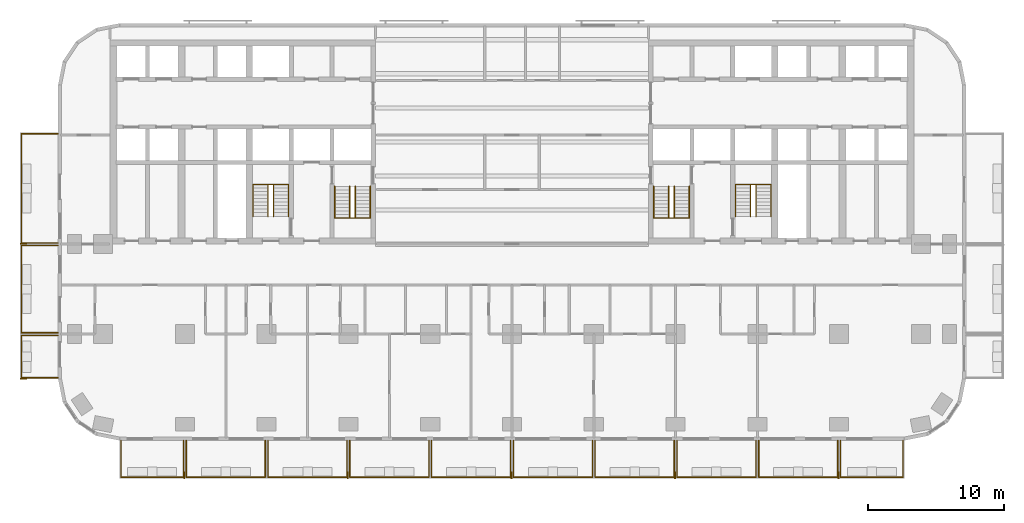
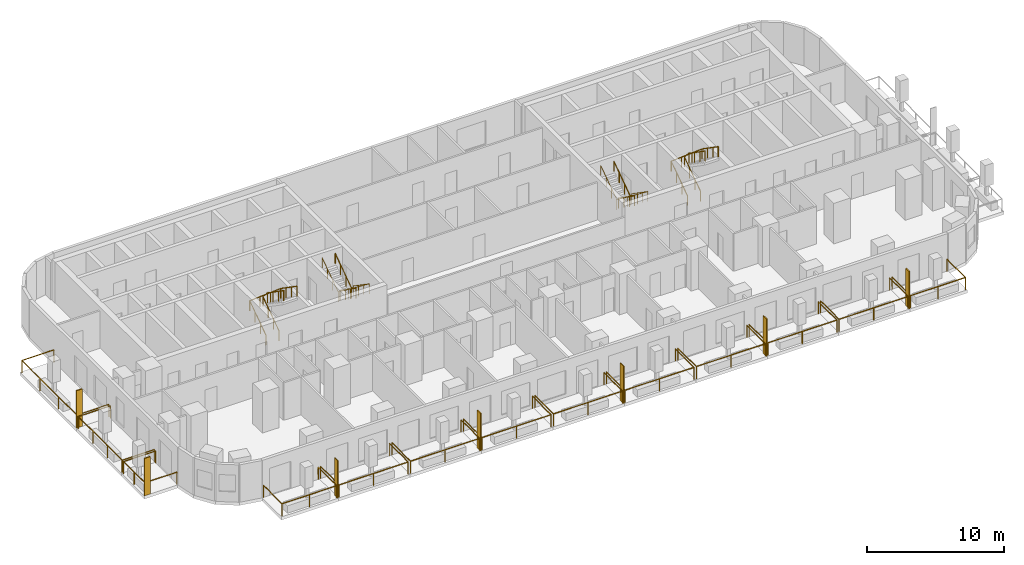
# One storey, part 12 of 14: 21 railings, 7 shading devices.
"""IFC4 building model written with IfcOpenShell, lengths in metres."""

from ifc_helpers import new_model, si_unit, direction, frame, origin, origin_2d, place, context, subcontext, project, spatial, rectangle, circle, extrude, material, layer, layer_set, type_object, element, save


model = new_model("IFC4")

# Units and contexts
model_context = context("Model", 3, precision=1e-05, world=origin(), true_north=direction((0.0, 1.0)))
body_context = subcontext(model_context, "Body", "Model", "MODEL_VIEW")
ifc_project = project(units=[si_unit("LENGTHUNIT", "METRE"), si_unit("AREAUNIT", "SQUARE_METRE"), si_unit("VOLUMEUNIT", "CUBIC_METRE"), si_unit("PLANEANGLEUNIT", "RADIAN"), si_unit("MASSUNIT", "GRAM", prefix="KILO")], contexts=[model_context])

# Site, building, storey
site_placement = place(None, origin())
site = spatial("IfcSite", under=ifc_project, at=site_placement, CompositionType="ELEMENT")
building_placement = place(site_placement, origin())
building = spatial("IfcBuilding", under=site, at=building_placement, Name="Torana Hotel and Residences", CompositionType="ELEMENT")
storey_placement = place(building_placement, frame((0.0, 0.0, 99.60009765625)))
storey = spatial("IfcBuildingStorey", under=building, at=storey_placement, Name="L25", CompositionType="ELEMENT", Elevation=99.60009765625)

# Shading devices
ifc_material_1 = material(Name="Black powder coated aluminium", Category="aluminium")
ifc_layer = layer(ifc_material_1, 0.080078125)
ifc_layer_set = layer_set([ifc_layer], Name="FN1 VERTICAL FIN 500x80")
shading_device_type = type_object("IfcShadingDeviceType", Name="FN1 VERTICAL FIN 500x80", PredefinedType="USERDEFINED", material=ifc_layer_set)
for number, where, z_axis, x_axis, name in (
    (1, (-24.0400390625, -31.949951171875, 0.0), (0.0, 0.0, 1.0), (-1.0, 0.0, 0.0), "Fin 01"),
    (2, (-12.0400390625, -31.949951171875, 0.0), (0.0, 0.0, 1.0), (-1.0, 0.0, 0.0), "Fin 03"),
    (3, (-0.0400390625, -31.949951171875, 0.0), (0.0, 0.0, 1.0), (-1.0, 0.0, 0.0), "Fin 05"),
    (4, (11.9599609375, -31.949951171875, 0.0), (0.0, 0.0, 1.0), (-1.0, 0.0, 0.0), "Fin 07"),
    (5, (23.9599609375, -31.949951171875, 0.0), (0.0, 0.0, 1.0), (-1.0, 0.0, 0.0), "Fin 09"),
    (6, (-35.85009765625, -24.860107421875, 0.0), (0.0, 0.0, 1.0), (0.0, 1.0, 0.0), "Fin 11"),
    (7, (-35.85009765625, -14.9599609375, 0.0), (0.0, 0.0, 1.0), (0.0, 1.0, 0.0), "Fin 13"),
):
    element("IfcShadingDevice", number, at=place(storey_placement, frame(where, z_axis=z_axis, x_axis=x_axis)), inside=storey, type_object=shading_device_type, Name=name, ObjectType="FIN", PredefinedType="USERDEFINED", context=body_context, shape_type="SweptSolid", body=[
        extrude(rectangle(XDim=0.080078125, YDim=0.5, at=origin_2d()), origin(), (0.0, 0.0, 1.0), 3.320068359375),
    ])

# Railings
ifc_material_2 = material(Name="Laminated glass balustrade with black handrail", Category="glass")
railing_type_1 = type_object("IfcRailingType", Name="GR1 BALCONY GUARD 1100 GLASS", PredefinedType="GUARDRAIL", material=ifc_material_2)
railing_1_placement = place(storey_placement, frame((-24.10009765625, -29.39990234375, 0.0)))
element("IfcRailing", 8, at=railing_1_placement, inside=storey, type_object=railing_type_1, Name="Balcony guard 01", PredefinedType="GUARDRAIL", context=body_context, shape_type="SweptSolid", body=[
    extrude(circle(Radius=0.02392578125, at=origin_2d()), frame((0.0, 0.0, 1.076171875), z_axis=(0.0, -1.0, 0.0), x_axis=(1.0, 0.0, 0.0)), (0.0, 0.0, 1.0), 2.7001953125),
    extrude(circle(Radius=0.02392578125, at=origin_2d()), frame((0.0, -2.7001953125, 1.076171875), z_axis=(-1.0, 0.0, 0.0), x_axis=(0.0, -1.0, 0.0)), (0.0, 0.0, 1.0), 4.599853515625),
    extrude(circle(Radius=0.02392578125, at=origin_2d()), frame((-4.599853515625, -2.7001953125, 1.076171875), z_axis=(0.0, 1.0, 0.0), x_axis=(-1.0, 0.0, 0.0)), (0.0, 0.0, 1.0), 2.7001953125),
    extrude(circle(Radius=0.02099609375, at=origin_2d()), origin(), (0.0, 0.0, 1.0), 1.052001953125),
    extrude(circle(Radius=0.02099609375, at=origin_2d()), frame((0.0, -2.7001953125, 0.0)), (0.0, 0.0, 1.0), 1.052001953125),
    extrude(circle(Radius=0.02099609375, at=origin_2d()), frame((-2.2998046875, -2.7001953125, 0.0)), (0.0, 0.0, 1.0), 1.052001953125),
    extrude(circle(Radius=0.02099609375, at=origin_2d()), frame((-4.599853515625, -2.7001953125, 0.0)), (0.0, 0.0, 1.0), 1.052001953125),
    extrude(circle(Radius=0.02099609375, at=origin_2d()), frame((-4.599853515625, 0.0, 0.0)), (0.0, 0.0, 1.0), 1.052001953125),
])
for number, where, name in (
    (9, (-18.10009765625, -29.39990234375, 0.0), "Balcony guard 02"),
    (10, (-12.10009765625, -29.39990234375, 0.0), "Balcony guard 03"),
    (11, (-6.10009765625, -29.39990234375, 0.0), "Balcony guard 04"),
    (12, (-0.10009765625, -29.39990234375, 0.0), "Balcony guard 05"),
    (13, (5.89990234375, -29.39990234375, 0.0), "Balcony guard 06"),
    (14, (11.89990234375, -29.39990234375, 0.0), "Balcony guard 07"),
    (15, (17.89990234375, -29.39990234375, 0.0), "Balcony guard 08"),
    (16, (23.89990234375, -29.39990234375, 0.0), "Balcony guard 09"),
):
    element("IfcRailing", number, at=place(storey_placement, frame(where)), inside=storey, type_object=railing_type_1, Name=name, PredefinedType="GUARDRAIL", context=body_context, shape_type="SweptSolid", body=[
        extrude(circle(Radius=0.02392578125, at=origin_2d()), frame((0.0, 0.0, 1.076171875), z_axis=(0.0, -1.0, 0.0), x_axis=(1.0, 0.0, 0.0)), (0.0, 0.0, 1.0), 2.7001953125),
        extrude(circle(Radius=0.02392578125, at=origin_2d()), frame((0.0, -2.7001953125, 1.076171875), z_axis=(-1.0, 0.0, 0.0), x_axis=(0.0, -1.0, 0.0)), (0.0, 0.0, 1.0), 5.7998046875),
        extrude(circle(Radius=0.02392578125, at=origin_2d()), frame((-5.7998046875, -2.7001953125, 1.076171875), z_axis=(0.0, 1.0, 0.0), x_axis=(-1.0, 0.0, 0.0)), (0.0, 0.0, 1.0), 2.7001953125),
        extrude(circle(Radius=0.02099609375, at=origin_2d()), origin(), (0.0, 0.0, 1.0), 1.052001953125),
        extrude(circle(Radius=0.02099609375, at=origin_2d()), frame((0.0, -2.7001953125, 0.0)), (0.0, 0.0, 1.0), 1.052001953125),
        extrude(circle(Radius=0.02099609375, at=origin_2d()), frame((-2.89990234375, -2.7001953125, 0.0)), (0.0, 0.0, 1.0), 1.052001953125),
        extrude(circle(Radius=0.02099609375, at=origin_2d()), frame((-5.7998046875, -2.7001953125, 0.0)), (0.0, 0.0, 1.0), 1.052001953125),
        extrude(circle(Radius=0.02099609375, at=origin_2d()), frame((-5.7998046875, 0.0, 0.0)), (0.0, 0.0, 1.0), 1.052001953125),
    ])
railing_2_placement = place(storey_placement, frame((28.699951171875, -29.39990234375, 0.0)))
element("IfcRailing", 17, at=railing_2_placement, inside=storey, type_object=railing_type_1, Name="Balcony guard 10", PredefinedType="GUARDRAIL", context=body_context, shape_type="SweptSolid", body=[
    extrude(circle(Radius=0.02392578125, at=origin_2d()), frame((0.0, 0.0, 1.076171875), z_axis=(0.0, -1.0, 0.0), x_axis=(1.0, 0.0, 0.0)), (0.0, 0.0, 1.0), 2.7001953125),
    extrude(circle(Radius=0.02392578125, at=origin_2d()), frame((0.0, -2.7001953125, 1.076171875), z_axis=(-1.0, 0.0, 0.0), x_axis=(0.0, -1.0, 0.0)), (0.0, 0.0, 1.0), 4.599853515625),
    extrude(circle(Radius=0.02392578125, at=origin_2d()), frame((-4.599853515625, -2.7001953125, 1.076171875), z_axis=(0.0, 1.0, 0.0), x_axis=(-1.0, 0.0, 0.0)), (0.0, 0.0, 1.0), 2.7001953125),
    extrude(circle(Radius=0.02099609375, at=origin_2d()), origin(), (0.0, 0.0, 1.0), 1.052001953125),
    extrude(circle(Radius=0.02099609375, at=origin_2d()), frame((0.0, -2.7001953125, 0.0)), (0.0, 0.0, 1.0), 1.052001953125),
    extrude(circle(Radius=0.02099609375, at=origin_2d()), frame((-2.2998046875, -2.7001953125, 0.0)), (0.0, 0.0, 1.0), 1.052001953125),
    extrude(circle(Radius=0.02099609375, at=origin_2d()), frame((-4.599853515625, -2.7001953125, 0.0)), (0.0, 0.0, 1.0), 1.052001953125),
    extrude(circle(Radius=0.02099609375, at=origin_2d()), frame((-4.599853515625, 0.0, 0.0)), (0.0, 0.0, 1.0), 1.052001953125),
])
railing_3_placement = place(storey_placement, frame((-33.300048828125, -24.800048828125, 0.0)))
element("IfcRailing", 18, at=railing_3_placement, inside=storey, type_object=railing_type_1, Name="Balcony guard 11", PredefinedType="GUARDRAIL", context=body_context, shape_type="SweptSolid", body=[
    extrude(circle(Radius=0.02392578125, at=origin_2d()), frame((0.0, 0.0, 1.076171875), z_axis=(-1.0, 0.0, 0.0), x_axis=(0.0, -1.0, 0.0)), (0.0, 0.0, 1.0), 2.699951171875),
    extrude(circle(Radius=0.02392578125, at=origin_2d()), frame((-2.699951171875, 0.0, 1.076171875), z_axis=(0.0, 1.0, 0.0), x_axis=(-1.0, 0.0, 0.0)), (0.0, 0.0, 1.0), 3.10009765625),
    extrude(circle(Radius=0.02392578125, at=origin_2d()), frame((-2.699951171875, 3.10009765625, 1.076171875), z_axis=(1.0, 0.0, 0.0), x_axis=(0.0, 1.0, 0.0)), (0.0, 0.0, 1.0), 2.699951171875),
    extrude(circle(Radius=0.02099609375, at=origin_2d()), origin(), (0.0, 0.0, 1.0), 1.052001953125),
    extrude(circle(Radius=0.02099609375, at=origin_2d()), frame((-2.699951171875, 0.0, 0.0)), (0.0, 0.0, 1.0), 1.052001953125),
    extrude(circle(Radius=0.02099609375, at=origin_2d()), frame((-2.699951171875, 1.550048828125, 0.0)), (0.0, 0.0, 1.0), 1.052001953125),
    extrude(circle(Radius=0.02099609375, at=origin_2d()), frame((-2.699951171875, 3.10009765625, 0.0)), (0.0, 0.0, 1.0), 1.052001953125),
    extrude(circle(Radius=0.02099609375, at=origin_2d()), frame((0.0, 3.10009765625, 0.0)), (0.0, 0.0, 1.0), 1.052001953125),
])
railing_4_placement = place(storey_placement, frame((-33.300048828125, -21.5, 0.0)))
element("IfcRailing", 19, at=railing_4_placement, inside=storey, type_object=railing_type_1, Name="Balcony guard 12", PredefinedType="GUARDRAIL", context=body_context, shape_type="SweptSolid", body=[
    extrude(circle(Radius=0.02392578125, at=origin_2d()), frame((0.0, 0.0, 1.076171875), z_axis=(-1.0, 0.0, 0.0), x_axis=(0.0, -1.0, 0.0)), (0.0, 0.0, 1.0), 2.699951171875),
    extrude(circle(Radius=0.02392578125, at=origin_2d()), frame((-2.699951171875, 0.0, 1.076171875), z_axis=(0.0, 1.0, 0.0), x_axis=(-1.0, 0.0, 0.0)), (0.0, 0.0, 1.0), 6.39990234375),
    extrude(circle(Radius=0.02392578125, at=origin_2d()), frame((-2.699951171875, 6.39990234375, 1.076171875), z_axis=(1.0, 0.0, 0.0), x_axis=(0.0, 1.0, 0.0)), (0.0, 0.0, 1.0), 2.699951171875),
    extrude(circle(Radius=0.02099609375, at=origin_2d()), origin(), (0.0, 0.0, 1.0), 1.052001953125),
    extrude(circle(Radius=0.02099609375, at=origin_2d()), frame((-2.699951171875, 0.0, 0.0)), (0.0, 0.0, 1.0), 1.052001953125),
    extrude(circle(Radius=0.02099609375, at=origin_2d()), frame((-2.699951171875, 2.13330078125, 0.0)), (0.0, 0.0, 1.0), 1.052001953125),
    extrude(circle(Radius=0.02099609375, at=origin_2d()), frame((-2.699951171875, 4.2666015625, 0.0)), (0.0, 0.0, 1.0), 1.052001953125),
    extrude(circle(Radius=0.02099609375, at=origin_2d()), frame((-2.699951171875, 6.39990234375, 0.0)), (0.0, 0.0, 1.0), 1.052001953125),
    extrude(circle(Radius=0.02099609375, at=origin_2d()), frame((0.0, 6.39990234375, 0.0)), (0.0, 0.0, 1.0), 1.052001953125),
])
railing_5_placement = place(storey_placement, frame((-33.300048828125, -14.89990234375, 0.0)))
element("IfcRailing", 20, at=railing_5_placement, inside=storey, type_object=railing_type_1, Name="Balcony guard 13", PredefinedType="GUARDRAIL", context=body_context, shape_type="SweptSolid", body=[
    extrude(circle(Radius=0.02392578125, at=origin_2d()), frame((0.0, 0.0, 1.076171875), z_axis=(-1.0, 0.0, 0.0), x_axis=(0.0, -1.0, 0.0)), (0.0, 0.0, 1.0), 2.699951171875),
    extrude(circle(Radius=0.02392578125, at=origin_2d()), frame((-2.699951171875, 0.0, 1.076171875), z_axis=(0.0, 1.0, 0.0), x_axis=(-1.0, 0.0, 0.0)), (0.0, 0.0, 1.0), 8.0),
    extrude(circle(Radius=0.02392578125, at=origin_2d()), frame((-2.699951171875, 8.0, 1.076171875), z_axis=(1.0, 0.0, 0.0), x_axis=(0.0, 1.0, 0.0)), (0.0, 0.0, 1.0), 2.699951171875),
    extrude(circle(Radius=0.02099609375, at=origin_2d()), origin(), (0.0, 0.0, 1.0), 1.052001953125),
    extrude(circle(Radius=0.02099609375, at=origin_2d()), frame((-2.699951171875, 0.0, 0.0)), (0.0, 0.0, 1.0), 1.052001953125),
    extrude(circle(Radius=0.02099609375, at=origin_2d()), frame((-2.699951171875, 2.666748046875, 0.0)), (0.0, 0.0, 1.0), 1.052001953125),
    extrude(circle(Radius=0.02099609375, at=origin_2d()), frame((-2.699951171875, 5.333251953125, 0.0)), (0.0, 0.0, 1.0), 1.052001953125),
    extrude(circle(Radius=0.02099609375, at=origin_2d()), frame((-2.699951171875, 8.0, 0.0)), (0.0, 0.0, 1.0), 1.052001953125),
    extrude(circle(Radius=0.02099609375, at=origin_2d()), frame((0.0, 8.0, 0.0)), (0.0, 0.0, 1.0), 1.052001953125),
])
ifc_material_3 = material(Name="Stainless steel 316", Category="steel")
railing_type_2 = type_object("IfcRailingType", Name="STAIR HANDRAIL HR1 900", PredefinedType="HANDRAIL", material=ifc_material_3)
railing_6_placement = place(storey_placement, frame((-10.39990234375, -10.75, 0.179931640625)))
element("IfcRailing", 21, at=railing_6_placement, inside=storey, type_object=railing_type_2, Name="Handrail ST1 L25 O1", PredefinedType="HANDRAIL", context=body_context, shape_type="SweptSolid", body=[
    extrude(circle(Radius=0.02392578125, at=origin_2d()), frame((0.0, 0.0, 0.8759765625), z_axis=(0.0, -0.822223072051, 0.569165371211), x_axis=(1.0, 0.0, 0.0)), (0.0, 0.0, 1.0), 2.845947265625),
    extrude(circle(Radius=0.02392578125, at=origin_2d()), frame((0.0, -2.340087890625, 2.49560546875), z_axis=(-0.997607660209, 0.0, 0.069129995609), x_axis=(0.0, -1.0, 0.0)), (0.0, 0.0, 1.0), 2.6064453125),
    extrude(circle(Radius=0.02392578125, at=origin_2d()), frame((-2.60009765625, -2.340087890625, 2.67578125), z_axis=(0.0, 0.822223072051, 0.569165371211), x_axis=(-1.0, 0.0, 0.0)), (0.0, 0.0, 1.0), 2.845947265625),
    extrude(circle(Radius=0.02099609375, at=origin_2d()), origin(), (0.0, 0.0, 1.0), 0.851806640625),
    extrude(circle(Radius=0.02099609375, at=origin_2d()), frame((0.0, -0.780029296875, 0.5400390625)), (0.0, 0.0, 1.0), 0.851806640625),
    extrude(circle(Radius=0.02099609375, at=origin_2d()), frame((0.0, -1.56005859375, 1.079833984375)), (0.0, 0.0, 1.0), 0.851806640625),
    extrude(circle(Radius=0.02099609375, at=origin_2d()), frame((0.0, -2.340087890625, 1.619873046875)), (0.0, 0.0, 1.0), 0.851806640625),
    extrude(circle(Radius=0.02099609375, at=origin_2d()), frame((-0.86669921875, -2.340087890625, 1.679931640625)), (0.0, 0.0, 1.0), 0.851806640625),
    extrude(circle(Radius=0.02099609375, at=origin_2d()), frame((-1.7333984375, -2.340087890625, 1.739990234375)), (0.0, 0.0, 1.0), 0.851806640625),
    extrude(circle(Radius=0.02099609375, at=origin_2d()), frame((-2.60009765625, -2.340087890625, 1.800048828125)), (0.0, 0.0, 1.0), 0.851806640625),
    extrude(circle(Radius=0.02099609375, at=origin_2d()), frame((-2.60009765625, -1.56005859375, 2.340087890625)), (0.0, 0.0, 1.0), 0.851806640625),
    extrude(circle(Radius=0.02099609375, at=origin_2d()), frame((-2.60009765625, -0.780029296875, 2.8798828125)), (0.0, 0.0, 1.0), 0.851806640625),
    extrude(circle(Radius=0.02099609375, at=origin_2d()), frame((-2.60009765625, 0.0, 3.419921875)), (0.0, 0.0, 1.0), 0.851806640625),
])
railing_7_placement = place(storey_placement, frame((-11.5, -10.75, 0.179931640625)))
element("IfcRailing", 22, at=railing_7_placement, inside=storey, type_object=railing_type_2, Name="Handrail ST1 L25 I1", PredefinedType="HANDRAIL", context=body_context, shape_type="SweptSolid", body=[
    extrude(circle(Radius=0.02392578125, at=origin_2d()), frame((0.0, 0.0, 0.8759765625), z_axis=(0.0, -0.822223072051, 0.569165371211), x_axis=(1.0, 0.0, 0.0)), (0.0, 0.0, 1.0), 2.845947265625),
    extrude(circle(Radius=0.02392578125, at=origin_2d()), frame((0.0, -2.340087890625, 2.49560546875), z_axis=(-0.911733943306, 0.0, 0.410781227204), x_axis=(0.0, -1.0, 0.0)), (0.0, 0.0, 1.0), 0.438720703125),
    extrude(circle(Radius=0.02392578125, at=origin_2d()), frame((-0.39990234375, -2.340087890625, 2.67578125), z_axis=(0.0, 0.822223072051, 0.569165371211), x_axis=(-1.0, 0.0, 0.0)), (0.0, 0.0, 1.0), 2.845947265625),
    extrude(circle(Radius=0.02099609375, at=origin_2d()), origin(), (0.0, 0.0, 1.0), 0.851806640625),
    extrude(circle(Radius=0.02099609375, at=origin_2d()), frame((0.0, -0.780029296875, 0.5400390625)), (0.0, 0.0, 1.0), 0.851806640625),
    extrude(circle(Radius=0.02099609375, at=origin_2d()), frame((0.0, -1.56005859375, 1.079833984375)), (0.0, 0.0, 1.0), 0.851806640625),
    extrude(circle(Radius=0.02099609375, at=origin_2d()), frame((0.0, -2.340087890625, 1.619873046875)), (0.0, 0.0, 1.0), 0.851806640625),
    extrude(circle(Radius=0.02099609375, at=origin_2d()), frame((-0.39990234375, -2.340087890625, 1.800048828125)), (0.0, 0.0, 1.0), 0.851806640625),
    extrude(circle(Radius=0.02099609375, at=origin_2d()), frame((-0.39990234375, -1.56005859375, 2.340087890625)), (0.0, 0.0, 1.0), 0.851806640625),
    extrude(circle(Radius=0.02099609375, at=origin_2d()), frame((-0.39990234375, -0.780029296875, 2.8798828125)), (0.0, 0.0, 1.0), 0.851806640625),
    extrude(circle(Radius=0.02099609375, at=origin_2d()), frame((-0.39990234375, 0.0, 3.419921875)), (0.0, 0.0, 1.0), 0.851806640625),
])
railing_8_placement = place(storey_placement, frame((-19.0, -12.949951171875, 0.179931640625)))
element("IfcRailing", 23, at=railing_8_placement, inside=storey, type_object=railing_type_2, Name="Handrail ST2 L25 O1", PredefinedType="HANDRAIL", context=body_context, shape_type="SweptSolid", body=[
    extrude(circle(Radius=0.02392578125, at=origin_2d()), frame((0.0, 0.0, 0.8759765625), z_axis=(0.0, 0.822195280011, 0.569205517829), x_axis=(-1.0, 0.0, 0.0)), (0.0, 0.0, 1.0), 2.845947265625),
    extrude(circle(Radius=0.02392578125, at=origin_2d()), frame((0.0, 2.33984375, 2.49560546875), z_axis=(0.997607660209, 0.0, 0.069129995609), x_axis=(0.0, 1.0, 0.0)), (0.0, 0.0, 1.0), 2.6064453125),
    extrude(circle(Radius=0.02392578125, at=origin_2d()), frame((2.60009765625, 2.33984375, 2.67578125), z_axis=(0.0, -0.822195280011, 0.569205517829), x_axis=(1.0, 0.0, 0.0)), (0.0, 0.0, 1.0), 2.845947265625),
    extrude(circle(Radius=0.02099609375, at=origin_2d()), origin(), (0.0, 0.0, 1.0), 0.851806640625),
    extrude(circle(Radius=0.02099609375, at=origin_2d()), frame((0.0, 0.780029296875, 0.5400390625)), (0.0, 0.0, 1.0), 0.851806640625),
    extrude(circle(Radius=0.02099609375, at=origin_2d()), frame((0.0, 1.559814453125, 1.079833984375)), (0.0, 0.0, 1.0), 0.851806640625),
    extrude(circle(Radius=0.02099609375, at=origin_2d()), frame((0.0, 2.33984375, 1.619873046875)), (0.0, 0.0, 1.0), 0.851806640625),
    extrude(circle(Radius=0.02099609375, at=origin_2d()), frame((0.86669921875, 2.33984375, 1.679931640625)), (0.0, 0.0, 1.0), 0.851806640625),
    extrude(circle(Radius=0.02099609375, at=origin_2d()), frame((1.7333984375, 2.33984375, 1.739990234375)), (0.0, 0.0, 1.0), 0.851806640625),
    extrude(circle(Radius=0.02099609375, at=origin_2d()), frame((2.60009765625, 2.33984375, 1.800048828125)), (0.0, 0.0, 1.0), 0.851806640625),
    extrude(circle(Radius=0.02099609375, at=origin_2d()), frame((2.60009765625, 1.559814453125, 2.340087890625)), (0.0, 0.0, 1.0), 0.851806640625),
    extrude(circle(Radius=0.02099609375, at=origin_2d()), frame((2.60009765625, 0.780029296875, 2.8798828125)), (0.0, 0.0, 1.0), 0.851806640625),
    extrude(circle(Radius=0.02099609375, at=origin_2d()), frame((2.60009765625, 0.0, 3.419921875)), (0.0, 0.0, 1.0), 0.851806640625),
])
railing_9_placement = place(storey_placement, frame((-17.89990234375, -12.949951171875, 0.179931640625)))
element("IfcRailing", 24, at=railing_9_placement, inside=storey, type_object=railing_type_2, Name="Handrail ST2 L25 I1", PredefinedType="HANDRAIL", context=body_context, shape_type="SweptSolid", body=[
    extrude(circle(Radius=0.02392578125, at=origin_2d()), frame((0.0, 0.0, 0.8759765625), z_axis=(0.0, 0.822195280011, 0.569205517829), x_axis=(-1.0, 0.0, 0.0)), (0.0, 0.0, 1.0), 2.845947265625),
    extrude(circle(Radius=0.02392578125, at=origin_2d()), frame((0.0, 2.33984375, 2.49560546875), z_axis=(0.911733943306, 0.0, 0.410781227204), x_axis=(0.0, 1.0, 0.0)), (0.0, 0.0, 1.0), 0.438720703125),
    extrude(circle(Radius=0.02392578125, at=origin_2d()), frame((0.39990234375, 2.33984375, 2.67578125), z_axis=(0.0, -0.822195280011, 0.569205517829), x_axis=(1.0, 0.0, 0.0)), (0.0, 0.0, 1.0), 2.845947265625),
    extrude(circle(Radius=0.02099609375, at=origin_2d()), origin(), (0.0, 0.0, 1.0), 0.851806640625),
    extrude(circle(Radius=0.02099609375, at=origin_2d()), frame((0.0, 0.780029296875, 0.5400390625)), (0.0, 0.0, 1.0), 0.851806640625),
    extrude(circle(Radius=0.02099609375, at=origin_2d()), frame((0.0, 1.559814453125, 1.079833984375)), (0.0, 0.0, 1.0), 0.851806640625),
    extrude(circle(Radius=0.02099609375, at=origin_2d()), frame((0.0, 2.33984375, 1.619873046875)), (0.0, 0.0, 1.0), 0.851806640625),
    extrude(circle(Radius=0.02099609375, at=origin_2d()), frame((0.39990234375, 2.33984375, 1.800048828125)), (0.0, 0.0, 1.0), 0.851806640625),
    extrude(circle(Radius=0.02099609375, at=origin_2d()), frame((0.39990234375, 1.559814453125, 2.340087890625)), (0.0, 0.0, 1.0), 0.851806640625),
    extrude(circle(Radius=0.02099609375, at=origin_2d()), frame((0.39990234375, 0.780029296875, 2.8798828125)), (0.0, 0.0, 1.0), 0.851806640625),
    extrude(circle(Radius=0.02099609375, at=origin_2d()), frame((0.39990234375, 0.0, 3.419921875)), (0.0, 0.0, 1.0), 0.851806640625),
])
railing_10_placement = place(storey_placement, frame((13.0, -10.75, 0.179931640625)))
element("IfcRailing", 25, at=railing_10_placement, inside=storey, type_object=railing_type_2, Name="Handrail ST3 L25 O1", PredefinedType="HANDRAIL", context=body_context, shape_type="SweptSolid", body=[
    extrude(circle(Radius=0.02392578125, at=origin_2d()), frame((0.0, 0.0, 0.8759765625), z_axis=(0.0, -0.822223072051, 0.569165371211), x_axis=(1.0, 0.0, 0.0)), (0.0, 0.0, 1.0), 2.845947265625),
    extrude(circle(Radius=0.02392578125, at=origin_2d()), frame((0.0, -2.340087890625, 2.49560546875), z_axis=(-0.997607660209, 0.0, 0.069129995609), x_axis=(0.0, -1.0, 0.0)), (0.0, 0.0, 1.0), 2.6064453125),
    extrude(circle(Radius=0.02392578125, at=origin_2d()), frame((-2.60009765625, -2.340087890625, 2.67578125), z_axis=(0.0, 0.822223072051, 0.569165371211), x_axis=(-1.0, 0.0, 0.0)), (0.0, 0.0, 1.0), 2.845947265625),
    extrude(circle(Radius=0.02099609375, at=origin_2d()), origin(), (0.0, 0.0, 1.0), 0.851806640625),
    extrude(circle(Radius=0.02099609375, at=origin_2d()), frame((0.0, -0.780029296875, 0.5400390625)), (0.0, 0.0, 1.0), 0.851806640625),
    extrude(circle(Radius=0.02099609375, at=origin_2d()), frame((0.0, -1.56005859375, 1.079833984375)), (0.0, 0.0, 1.0), 0.851806640625),
    extrude(circle(Radius=0.02099609375, at=origin_2d()), frame((0.0, -2.340087890625, 1.619873046875)), (0.0, 0.0, 1.0), 0.851806640625),
    extrude(circle(Radius=0.02099609375, at=origin_2d()), frame((-0.86669921875, -2.340087890625, 1.679931640625)), (0.0, 0.0, 1.0), 0.851806640625),
    extrude(circle(Radius=0.02099609375, at=origin_2d()), frame((-1.7333984375, -2.340087890625, 1.739990234375)), (0.0, 0.0, 1.0), 0.851806640625),
    extrude(circle(Radius=0.02099609375, at=origin_2d()), frame((-2.60009765625, -2.340087890625, 1.800048828125)), (0.0, 0.0, 1.0), 0.851806640625),
    extrude(circle(Radius=0.02099609375, at=origin_2d()), frame((-2.60009765625, -1.56005859375, 2.340087890625)), (0.0, 0.0, 1.0), 0.851806640625),
    extrude(circle(Radius=0.02099609375, at=origin_2d()), frame((-2.60009765625, -0.780029296875, 2.8798828125)), (0.0, 0.0, 1.0), 0.851806640625),
    extrude(circle(Radius=0.02099609375, at=origin_2d()), frame((-2.60009765625, 0.0, 3.419921875)), (0.0, 0.0, 1.0), 0.851806640625),
])
railing_11_placement = place(storey_placement, frame((11.89990234375, -10.75, 0.179931640625)))
element("IfcRailing", 26, at=railing_11_placement, inside=storey, type_object=railing_type_2, Name="Handrail ST3 L25 I1", PredefinedType="HANDRAIL", context=body_context, shape_type="SweptSolid", body=[
    extrude(circle(Radius=0.02392578125, at=origin_2d()), frame((0.0, 0.0, 0.8759765625), z_axis=(0.0, -0.822223072051, 0.569165371211), x_axis=(1.0, 0.0, 0.0)), (0.0, 0.0, 1.0), 2.845947265625),
    extrude(circle(Radius=0.02392578125, at=origin_2d()), frame((0.0, -2.340087890625, 2.49560546875), z_axis=(-0.911733943306, 0.0, 0.410781227204), x_axis=(0.0, -1.0, 0.0)), (0.0, 0.0, 1.0), 0.438720703125),
    extrude(circle(Radius=0.02392578125, at=origin_2d()), frame((-0.39990234375, -2.340087890625, 2.67578125), z_axis=(0.0, 0.822223072051, 0.569165371211), x_axis=(-1.0, 0.0, 0.0)), (0.0, 0.0, 1.0), 2.845947265625),
    extrude(circle(Radius=0.02099609375, at=origin_2d()), origin(), (0.0, 0.0, 1.0), 0.851806640625),
    extrude(circle(Radius=0.02099609375, at=origin_2d()), frame((0.0, -0.780029296875, 0.5400390625)), (0.0, 0.0, 1.0), 0.851806640625),
    extrude(circle(Radius=0.02099609375, at=origin_2d()), frame((0.0, -1.56005859375, 1.079833984375)), (0.0, 0.0, 1.0), 0.851806640625),
    extrude(circle(Radius=0.02099609375, at=origin_2d()), frame((0.0, -2.340087890625, 1.619873046875)), (0.0, 0.0, 1.0), 0.851806640625),
    extrude(circle(Radius=0.02099609375, at=origin_2d()), frame((-0.39990234375, -2.340087890625, 1.800048828125)), (0.0, 0.0, 1.0), 0.851806640625),
    extrude(circle(Radius=0.02099609375, at=origin_2d()), frame((-0.39990234375, -1.56005859375, 2.340087890625)), (0.0, 0.0, 1.0), 0.851806640625),
    extrude(circle(Radius=0.02099609375, at=origin_2d()), frame((-0.39990234375, -0.780029296875, 2.8798828125)), (0.0, 0.0, 1.0), 0.851806640625),
    extrude(circle(Radius=0.02099609375, at=origin_2d()), frame((-0.39990234375, 0.0, 3.419921875)), (0.0, 0.0, 1.0), 0.851806640625),
])
railing_12_placement = place(storey_placement, frame((16.39990234375, -12.949951171875, 0.179931640625)))
element("IfcRailing", 27, at=railing_12_placement, inside=storey, type_object=railing_type_2, Name="Handrail ST4 L25 O1", PredefinedType="HANDRAIL", context=body_context, shape_type="SweptSolid", body=[
    extrude(circle(Radius=0.02392578125, at=origin_2d()), frame((0.0, 0.0, 0.8759765625), z_axis=(0.0, 0.822195280011, 0.569205517829), x_axis=(-1.0, 0.0, 0.0)), (0.0, 0.0, 1.0), 2.845947265625),
    extrude(circle(Radius=0.02392578125, at=origin_2d()), frame((0.0, 2.33984375, 2.49560546875), z_axis=(0.997607660209, 0.0, 0.069129995609), x_axis=(0.0, 1.0, 0.0)), (0.0, 0.0, 1.0), 2.6064453125),
    extrude(circle(Radius=0.02392578125, at=origin_2d()), frame((2.60009765625, 2.33984375, 2.67578125), z_axis=(0.0, -0.822195280011, 0.569205517829), x_axis=(1.0, 0.0, 0.0)), (0.0, 0.0, 1.0), 2.845947265625),
    extrude(circle(Radius=0.02099609375, at=origin_2d()), origin(), (0.0, 0.0, 1.0), 0.851806640625),
    extrude(circle(Radius=0.02099609375, at=origin_2d()), frame((0.0, 0.780029296875, 0.5400390625)), (0.0, 0.0, 1.0), 0.851806640625),
    extrude(circle(Radius=0.02099609375, at=origin_2d()), frame((0.0, 1.559814453125, 1.079833984375)), (0.0, 0.0, 1.0), 0.851806640625),
    extrude(circle(Radius=0.02099609375, at=origin_2d()), frame((0.0, 2.33984375, 1.619873046875)), (0.0, 0.0, 1.0), 0.851806640625),
    extrude(circle(Radius=0.02099609375, at=origin_2d()), frame((0.86669921875, 2.33984375, 1.679931640625)), (0.0, 0.0, 1.0), 0.851806640625),
    extrude(circle(Radius=0.02099609375, at=origin_2d()), frame((1.7333984375, 2.33984375, 1.739990234375)), (0.0, 0.0, 1.0), 0.851806640625),
    extrude(circle(Radius=0.02099609375, at=origin_2d()), frame((2.60009765625, 2.33984375, 1.800048828125)), (0.0, 0.0, 1.0), 0.851806640625),
    extrude(circle(Radius=0.02099609375, at=origin_2d()), frame((2.60009765625, 1.559814453125, 2.340087890625)), (0.0, 0.0, 1.0), 0.851806640625),
    extrude(circle(Radius=0.02099609375, at=origin_2d()), frame((2.60009765625, 0.780029296875, 2.8798828125)), (0.0, 0.0, 1.0), 0.851806640625),
    extrude(circle(Radius=0.02099609375, at=origin_2d()), frame((2.60009765625, 0.0, 3.419921875)), (0.0, 0.0, 1.0), 0.851806640625),
])
railing_13_placement = place(storey_placement, frame((17.5, -12.949951171875, 0.179931640625)))
element("IfcRailing", 28, at=railing_13_placement, inside=storey, type_object=railing_type_2, Name="Handrail ST4 L25 I1", PredefinedType="HANDRAIL", context=body_context, shape_type="SweptSolid", body=[
    extrude(circle(Radius=0.02392578125, at=origin_2d()), frame((0.0, 0.0, 0.8759765625), z_axis=(0.0, 0.822195280011, 0.569205517829), x_axis=(-1.0, 0.0, 0.0)), (0.0, 0.0, 1.0), 2.845947265625),
    extrude(circle(Radius=0.02392578125, at=origin_2d()), frame((0.0, 2.33984375, 2.49560546875), z_axis=(0.911733943306, 0.0, 0.410781227204), x_axis=(0.0, 1.0, 0.0)), (0.0, 0.0, 1.0), 0.438720703125),
    extrude(circle(Radius=0.02392578125, at=origin_2d()), frame((0.39990234375, 2.33984375, 2.67578125), z_axis=(0.0, -0.822195280011, 0.569205517829), x_axis=(1.0, 0.0, 0.0)), (0.0, 0.0, 1.0), 2.845947265625),
    extrude(circle(Radius=0.02099609375, at=origin_2d()), origin(), (0.0, 0.0, 1.0), 0.851806640625),
    extrude(circle(Radius=0.02099609375, at=origin_2d()), frame((0.0, 0.780029296875, 0.5400390625)), (0.0, 0.0, 1.0), 0.851806640625),
    extrude(circle(Radius=0.02099609375, at=origin_2d()), frame((0.0, 1.559814453125, 1.079833984375)), (0.0, 0.0, 1.0), 0.851806640625),
    extrude(circle(Radius=0.02099609375, at=origin_2d()), frame((0.0, 2.33984375, 1.619873046875)), (0.0, 0.0, 1.0), 0.851806640625),
    extrude(circle(Radius=0.02099609375, at=origin_2d()), frame((0.39990234375, 2.33984375, 1.800048828125)), (0.0, 0.0, 1.0), 0.851806640625),
    extrude(circle(Radius=0.02099609375, at=origin_2d()), frame((0.39990234375, 1.559814453125, 2.340087890625)), (0.0, 0.0, 1.0), 0.851806640625),
    extrude(circle(Radius=0.02099609375, at=origin_2d()), frame((0.39990234375, 0.780029296875, 2.8798828125)), (0.0, 0.0, 1.0), 0.851806640625),
    extrude(circle(Radius=0.02099609375, at=origin_2d()), frame((0.39990234375, 0.0, 3.419921875)), (0.0, 0.0, 1.0), 0.851806640625),
])

save(model, "model.ifc")
